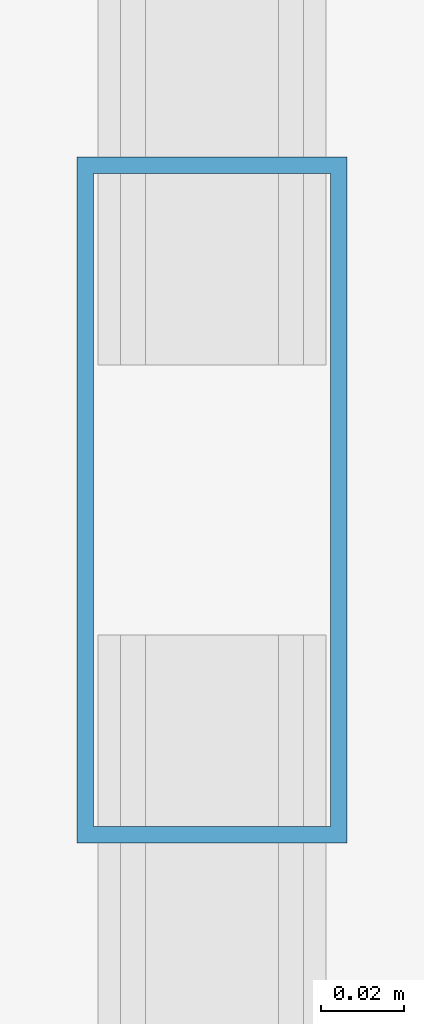
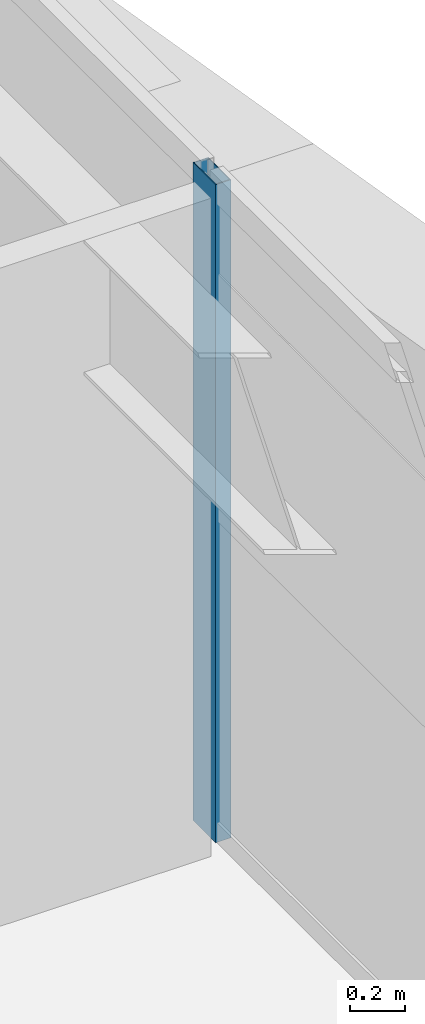
# One storey, part 26 of 59: 1 member, 1 element without a shape of its own.
"""IFC4 building model written with IfcOpenShell, lengths in metres."""

from ifc_helpers import new_model, si_unit, direction, frame, origin, origin_2d, place, context, subcontext, project, spatial, hollow_rectangle, extrude, source, transform, mapped, material, layer, layer_set, material_profile, profile_set, type_object, element, aggregate, save


model = new_model("IFC4")

# Units and contexts
model_context = context("Model", 3, precision=1e-05, world=origin(), true_north=direction((0.0, 1.0)))
body_context = subcontext(model_context, "Body", "Model", "MODEL_VIEW")
ifc_project = project(units=[si_unit("LENGTHUNIT", "METRE"), si_unit("AREAUNIT", "SQUARE_METRE"), si_unit("VOLUMEUNIT", "CUBIC_METRE"), si_unit("PLANEANGLEUNIT", "RADIAN"), si_unit("MASSUNIT", "GRAM", prefix="KILO")], contexts=[model_context])

# Site, building, storey
site_placement = place(None, origin())
site = spatial("IfcSite", under=ifc_project, at=site_placement, CompositionType="ELEMENT")
building_placement = place(site_placement, origin())
building = spatial("IfcBuilding", under=site, at=building_placement, Name="Taldren Reach Tower", CompositionType="ELEMENT")
storey_placement = place(building_placement, frame((0.0, 0.0, 26.25)))
storey = spatial("IfcBuildingStorey", under=building, at=storey_placement, Name="L07", CompositionType="ELEMENT", Elevation=26.25)

# Curtain wall, member
ifc_material_1 = material(Name="Aluminium and Low-E Glass Unitised System", Category="aluminium")
ifc_layer = layer(ifc_material_1, 0.159912109375)
ifc_layer_set = layer_set([ifc_layer], Name="Aluminium and Low-E Glass Unitised System")
curtain_wall_type = type_object("IfcCurtainWallType", Name="CW-SYS-2", PredefinedType="NOTDEFINED", material=ifc_layer_set)
curtain_wall_placement = place(storey_placement, origin())
curtain_wall = element("IfcCurtainWall", 1, at=curtain_wall_placement, inside=storey, type_object=curtain_wall_type, Name="Unitised curtain wall CW-L07-E", PredefinedType="NOTDEFINED")
ifc_material_2 = material(Name="Anodised Aluminium 6063-T6", Category="aluminium")
ifc_material_profile = material_profile(ifc_material_2, hollow_rectangle(XDim=0.06494140625, YDim=0.1650390625, WallThickness=0.00390625, at=origin_2d()), Name="ALU-165x65x4RHS")
ifc_profile_set = profile_set([ifc_material_profile], Name="Anodised Aluminium 6063-T6")
member_type = type_object("IfcMemberType", Name="CW-MUL-165", PredefinedType="MULLION", material=ifc_profile_set)
shared_shape = source(origin(), body_context, "Body", "SweptSolid", [
    extrude(hollow_rectangle(XDim=0.06494140625, YDim=0.1650390625, WallThickness=0.00390625, at=origin_2d()), origin(), (0.0, 0.0, 1.0), 2.929931640625),
])
member_placement = place(storey_placement, frame((64.860107421875, 11.388916015625, 0.0), z_axis=(0.0, 0.0, 1.0), x_axis=(-1.0, 0.0, 0.0)))
member = element("IfcMember", 2, at=member_placement, type_object=member_type, Name="CW-2 mullion 3", PredefinedType="MULLION", context=body_context, shape_type="MappedRepresentation", body=[
    mapped(shared_shape, transform((0.0, 0.0, 0.0), scale=1.0)),
])
aggregate(curtain_wall, [member])

save(model, "model.ifc")
